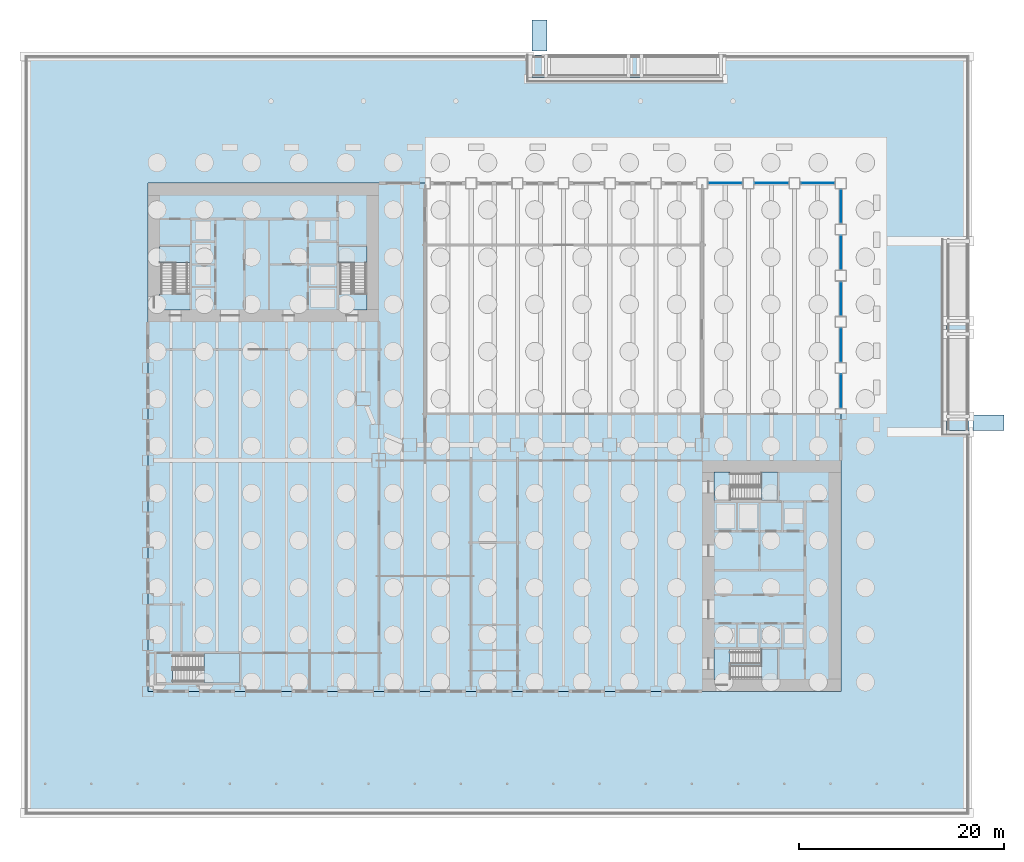
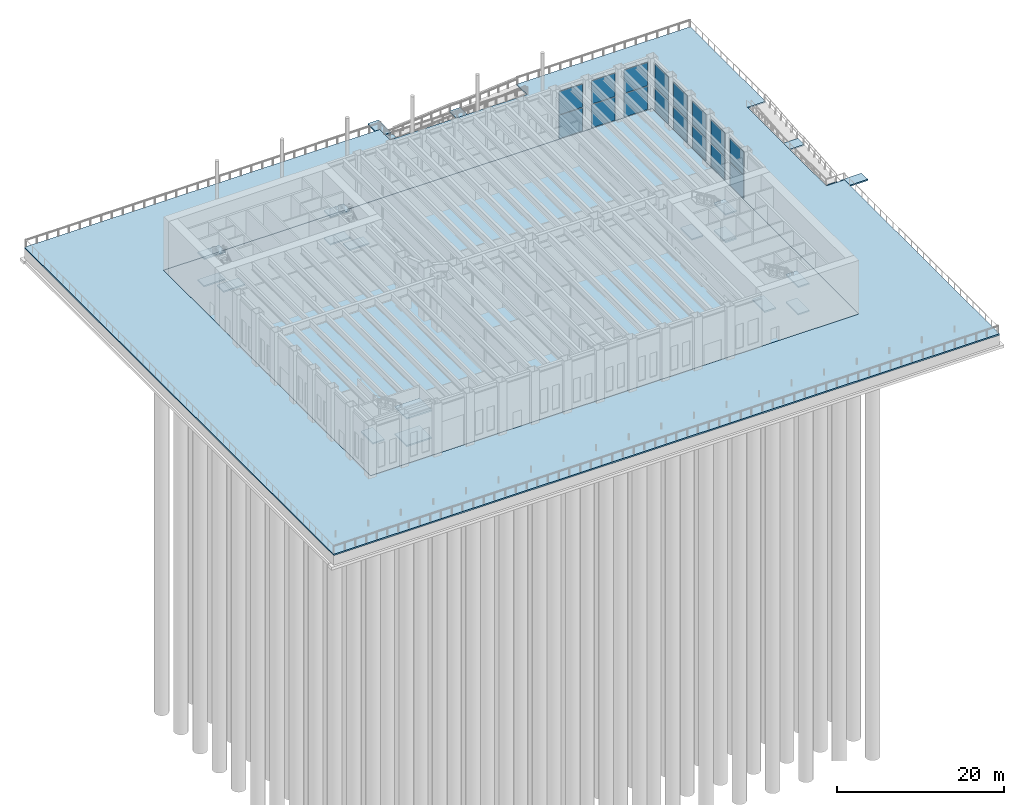
# One storey, part 5 of 26: 23 slabs, 16 plates, 15 elements without a shape of their own.
"""IFC4 building model written with IfcOpenShell, lengths in metres."""

from ifc_helpers import new_model, si_unit, direction, frame, origin, origin_2d, place, context, subcontext, project, spatial, polyline, rectangle, outline, extrude, material, layer, layer_set, type_object, element, aggregate, save


model = new_model("IFC4")

# Units and contexts
model_context = context("Model", 3, precision=1e-05, world=origin(), true_north=direction((0.0, 1.0)))
body_context = subcontext(model_context, "Body", "Model", "MODEL_VIEW")
ifc_project = project(units=[si_unit("LENGTHUNIT", "METRE"), si_unit("AREAUNIT", "SQUARE_METRE"), si_unit("VOLUMEUNIT", "CUBIC_METRE"), si_unit("PLANEANGLEUNIT", "RADIAN"), si_unit("MASSUNIT", "GRAM", prefix="KILO")], contexts=[model_context])

# Site, building, storey
site_placement = place(None, origin())
site = spatial("IfcSite", under=ifc_project, at=site_placement, CompositionType="ELEMENT")
building_placement = place(site_placement, origin())
building = spatial("IfcBuilding", under=site, at=building_placement, Name="Sennacour Bend Tower", CompositionType="ELEMENT")
storey_placement = place(building_placement, origin())
storey = spatial("IfcBuildingStorey", under=building, at=storey_placement, Name="L00", CompositionType="ELEMENT", Elevation=0.0)

# Slab
ifc_material_1 = material(Name="Concrete C40/50", Category="concrete")
ifc_layer_1 = layer(ifc_material_1, 0.300048828125, Name="Concrete C40/50", Category="concrete")
ifc_layer_set_1 = layer_set([ifc_layer_1], Name="Concrete C40/50")
slab_type_1 = type_object("IfcSlabType", Name="Ground slab 300", PredefinedType="BASESLAB", material=ifc_layer_set_1)
slab_1_placement = place(storey_placement, frame((0.0, 0.0, -0.300048828125)))
element("IfcSlab", 1, at=slab_1_placement, inside=storey, type_object=slab_type_1, Name="Ground slab L00-01", PredefinedType="BASESLAB", context=body_context, shape_type="SweptSolid", body=[
    extrude(outline(polyline([(67.5, 0.0), (67.5, 49.5), (0.0, 49.5), (0.0, 0.0), (67.5, 0.0)])), origin(), (0.0, 0.0, 1.0), 0.300048828125),
])

# Curtain wall, plates
ifc_material_2 = material(Name="Bronze anodised aluminium curtain wall with clear glass", Category="aluminium")
curtain_wall_type = type_object("IfcCurtainWallType", Name="CURTAIN WALL LOBBY", PredefinedType="NOTDEFINED", material=ifc_material_2)
curtain_wall_1_placement = place(storey_placement, origin())
curtain_wall_1 = element("IfcCurtainWall", 2, at=curtain_wall_1_placement, inside=storey, type_object=curtain_wall_type, Name="Lobby glass wall L00", PredefinedType="NOTDEFINED")
ifc_material_3 = material(Name="Laminated clear low-emissivity glass", Category="glass")
ifc_layer_2 = layer(ifc_material_3, 0.035888671875, Name="Laminated clear low-emissivity glass", Category="glass")
ifc_layer_set_2 = layer_set([ifc_layer_2], Name="Laminated clear low-emissivity glass")
plate_type = type_object("IfcPlateType", Name="PNL-GLASS-LAM36", PredefinedType="CURTAIN_PANEL", material=ifc_layer_set_2)
plate_1_placement = place(storey_placement, frame((67.52490234375, 29.25, 0.080078125), z_axis=(0.0, 0.0, 1.0), x_axis=(0.0, 1.0, 0.0)))
plate_1 = element("IfcPlate", 3, at=plate_1_placement, type_object=plate_type, Name="GW1 curtain wall panel 1.1", PredefinedType="CURTAIN_PANEL", context=body_context, shape_type="SweptSolid", body=[
    extrude(rectangle(XDim=3.239990234375, YDim=0.035888671875, at=origin_2d()), origin(), (0.0, 0.0, 1.0), 3.39794921875),
])
plate_2_placement = place(storey_placement, frame((67.52490234375, 29.25, 3.55810546875), z_axis=(0.0, 0.0, 1.0), x_axis=(0.0, 1.0, 0.0)))
plate_2 = element("IfcPlate", 4, at=plate_2_placement, type_object=plate_type, Name="GW1 curtain wall panel 1.2", PredefinedType="CURTAIN_PANEL", context=body_context, shape_type="SweptSolid", body=[
    extrude(rectangle(XDim=3.239990234375, YDim=0.035888671875, at=origin_2d()), origin(), (0.0, 0.0, 1.0), 3.39794921875),
])
aggregate(curtain_wall_1, [plate_1, plate_2])

curtain_wall_2_placement = place(storey_placement, origin())
curtain_wall_2 = element("IfcCurtainWall", 5, at=curtain_wall_2_placement, inside=storey, type_object=curtain_wall_type, Name="Lobby glass wall L00", PredefinedType="NOTDEFINED")
plate_3_placement = place(storey_placement, frame((67.52490234375, 33.75, 0.080078125), z_axis=(0.0, 0.0, 1.0), x_axis=(0.0, 1.0, 0.0)))
plate_3 = element("IfcPlate", 6, at=plate_3_placement, type_object=plate_type, Name="GW1 curtain wall panel 1.1", PredefinedType="CURTAIN_PANEL", context=body_context, shape_type="SweptSolid", body=[
    extrude(rectangle(XDim=3.239990234375, YDim=0.035888671875, at=origin_2d()), origin(), (0.0, 0.0, 1.0), 3.39794921875),
])
plate_4_placement = place(storey_placement, frame((67.52490234375, 33.75, 3.55810546875), z_axis=(0.0, 0.0, 1.0), x_axis=(0.0, 1.0, 0.0)))
plate_4 = element("IfcPlate", 7, at=plate_4_placement, type_object=plate_type, Name="GW1 curtain wall panel 1.2", PredefinedType="CURTAIN_PANEL", context=body_context, shape_type="SweptSolid", body=[
    extrude(rectangle(XDim=3.239990234375, YDim=0.035888671875, at=origin_2d()), origin(), (0.0, 0.0, 1.0), 3.39794921875),
])
aggregate(curtain_wall_2, [plate_3, plate_4])

curtain_wall_3_placement = place(storey_placement, origin())
curtain_wall_3 = element("IfcCurtainWall", 8, at=curtain_wall_3_placement, inside=storey, type_object=curtain_wall_type, Name="Lobby glass wall L00", PredefinedType="NOTDEFINED")
plate_5_placement = place(storey_placement, frame((67.52490234375, 38.25, 0.080078125), z_axis=(0.0, 0.0, 1.0), x_axis=(0.0, 1.0, 0.0)))
plate_5 = element("IfcPlate", 9, at=plate_5_placement, type_object=plate_type, Name="GW1 curtain wall panel 1.1", PredefinedType="CURTAIN_PANEL", context=body_context, shape_type="SweptSolid", body=[
    extrude(rectangle(XDim=3.239990234375, YDim=0.035888671875, at=origin_2d()), origin(), (0.0, 0.0, 1.0), 3.39794921875),
])
plate_6_placement = place(storey_placement, frame((67.52490234375, 38.25, 3.55810546875), z_axis=(0.0, 0.0, 1.0), x_axis=(0.0, 1.0, 0.0)))
plate_6 = element("IfcPlate", 10, at=plate_6_placement, type_object=plate_type, Name="GW1 curtain wall panel 1.2", PredefinedType="CURTAIN_PANEL", context=body_context, shape_type="SweptSolid", body=[
    extrude(rectangle(XDim=3.239990234375, YDim=0.035888671875, at=origin_2d()), origin(), (0.0, 0.0, 1.0), 3.39794921875),
])
aggregate(curtain_wall_3, [plate_5, plate_6])

curtain_wall_4_placement = place(storey_placement, origin())
curtain_wall_4 = element("IfcCurtainWall", 11, at=curtain_wall_4_placement, inside=storey, type_object=curtain_wall_type, Name="Lobby glass wall L00", PredefinedType="NOTDEFINED")
plate_7_placement = place(storey_placement, frame((67.52490234375, 42.75, 0.080078125), z_axis=(0.0, 0.0, 1.0), x_axis=(0.0, 1.0, 0.0)))
plate_7 = element("IfcPlate", 12, at=plate_7_placement, type_object=plate_type, Name="GW1 curtain wall panel 1.1", PredefinedType="CURTAIN_PANEL", context=body_context, shape_type="SweptSolid", body=[
    extrude(rectangle(XDim=3.239990234375, YDim=0.035888671875, at=origin_2d()), origin(), (0.0, 0.0, 1.0), 3.39794921875),
])
plate_8_placement = place(storey_placement, frame((67.52490234375, 42.75, 3.55810546875), z_axis=(0.0, 0.0, 1.0), x_axis=(0.0, 1.0, 0.0)))
plate_8 = element("IfcPlate", 13, at=plate_8_placement, type_object=plate_type, Name="GW1 curtain wall panel 1.2", PredefinedType="CURTAIN_PANEL", context=body_context, shape_type="SweptSolid", body=[
    extrude(rectangle(XDim=3.239990234375, YDim=0.035888671875, at=origin_2d()), origin(), (0.0, 0.0, 1.0), 3.39794921875),
])
aggregate(curtain_wall_4, [plate_7, plate_8])

curtain_wall_5_placement = place(storey_placement, origin())
curtain_wall_5 = element("IfcCurtainWall", 14, at=curtain_wall_5_placement, inside=storey, type_object=curtain_wall_type, Name="Lobby glass wall L00", PredefinedType="NOTDEFINED")
plate_9_placement = place(storey_placement, frame((67.52490234375, 47.25, 0.080078125), z_axis=(0.0, 0.0, 1.0), x_axis=(0.0, 1.0, 0.0)))
plate_9 = element("IfcPlate", 15, at=plate_9_placement, type_object=plate_type, Name="GW1 curtain wall panel 1.1", PredefinedType="CURTAIN_PANEL", context=body_context, shape_type="SweptSolid", body=[
    extrude(rectangle(XDim=3.239990234375, YDim=0.035888671875, at=origin_2d()), origin(), (0.0, 0.0, 1.0), 3.39794921875),
])
plate_10_placement = place(storey_placement, frame((67.52490234375, 47.25, 3.55810546875), z_axis=(0.0, 0.0, 1.0), x_axis=(0.0, 1.0, 0.0)))
plate_10 = element("IfcPlate", 16, at=plate_10_placement, type_object=plate_type, Name="GW1 curtain wall panel 1.2", PredefinedType="CURTAIN_PANEL", context=body_context, shape_type="SweptSolid", body=[
    extrude(rectangle(XDim=3.239990234375, YDim=0.035888671875, at=origin_2d()), origin(), (0.0, 0.0, 1.0), 3.39794921875),
])
aggregate(curtain_wall_5, [plate_9, plate_10])

curtain_wall_6_placement = place(storey_placement, origin())
curtain_wall_6 = element("IfcCurtainWall", 17, at=curtain_wall_6_placement, inside=storey, type_object=curtain_wall_type, Name="Lobby glass wall L00", PredefinedType="NOTDEFINED")
plate_11_placement = place(storey_placement, frame((65.25, 49.52490234375, 0.080078125), z_axis=(0.0, 0.0, 1.0), x_axis=(-1.0, 0.0, 0.0)))
plate_11 = element("IfcPlate", 18, at=plate_11_placement, type_object=plate_type, Name="GW1 curtain wall panel 1.1", PredefinedType="CURTAIN_PANEL", context=body_context, shape_type="SweptSolid", body=[
    extrude(rectangle(XDim=3.239990234375, YDim=0.035888671875, at=origin_2d()), origin(), (0.0, 0.0, 1.0), 3.39794921875),
])
plate_12_placement = place(storey_placement, frame((65.25, 49.52490234375, 3.55810546875), z_axis=(0.0, 0.0, 1.0), x_axis=(-1.0, 0.0, 0.0)))
plate_12 = element("IfcPlate", 19, at=plate_12_placement, type_object=plate_type, Name="GW1 curtain wall panel 1.2", PredefinedType="CURTAIN_PANEL", context=body_context, shape_type="SweptSolid", body=[
    extrude(rectangle(XDim=3.239990234375, YDim=0.035888671875, at=origin_2d()), origin(), (0.0, 0.0, 1.0), 3.39794921875),
])
aggregate(curtain_wall_6, [plate_11, plate_12])

curtain_wall_7_placement = place(storey_placement, origin())
curtain_wall_7 = element("IfcCurtainWall", 20, at=curtain_wall_7_placement, inside=storey, type_object=curtain_wall_type, Name="Lobby glass wall L00", PredefinedType="NOTDEFINED")
plate_13_placement = place(storey_placement, frame((60.75, 49.52490234375, 0.080078125), z_axis=(0.0, 0.0, 1.0), x_axis=(-1.0, 0.0, 0.0)))
plate_13 = element("IfcPlate", 21, at=plate_13_placement, type_object=plate_type, Name="GW1 curtain wall panel 1.1", PredefinedType="CURTAIN_PANEL", context=body_context, shape_type="SweptSolid", body=[
    extrude(rectangle(XDim=3.239990234375, YDim=0.035888671875, at=origin_2d()), origin(), (0.0, 0.0, 1.0), 3.39794921875),
])
plate_14_placement = place(storey_placement, frame((60.75, 49.52490234375, 3.55810546875), z_axis=(0.0, 0.0, 1.0), x_axis=(-1.0, 0.0, 0.0)))
plate_14 = element("IfcPlate", 22, at=plate_14_placement, type_object=plate_type, Name="GW1 curtain wall panel 1.2", PredefinedType="CURTAIN_PANEL", context=body_context, shape_type="SweptSolid", body=[
    extrude(rectangle(XDim=3.239990234375, YDim=0.035888671875, at=origin_2d()), origin(), (0.0, 0.0, 1.0), 3.39794921875),
])
aggregate(curtain_wall_7, [plate_13, plate_14])

curtain_wall_8_placement = place(storey_placement, origin())
curtain_wall_8 = element("IfcCurtainWall", 23, at=curtain_wall_8_placement, inside=storey, type_object=curtain_wall_type, Name="Lobby glass wall L00", PredefinedType="NOTDEFINED")
plate_15_placement = place(storey_placement, frame((56.25, 49.52490234375, 0.080078125), z_axis=(0.0, 0.0, 1.0), x_axis=(-1.0, 0.0, 0.0)))
plate_15 = element("IfcPlate", 24, at=plate_15_placement, type_object=plate_type, Name="GW1 curtain wall panel 1.1", PredefinedType="CURTAIN_PANEL", context=body_context, shape_type="SweptSolid", body=[
    extrude(rectangle(XDim=3.239990234375, YDim=0.035888671875, at=origin_2d()), origin(), (0.0, 0.0, 1.0), 3.39794921875),
])
plate_16_placement = place(storey_placement, frame((56.25, 49.52490234375, 3.55810546875), z_axis=(0.0, 0.0, 1.0), x_axis=(-1.0, 0.0, 0.0)))
plate_16 = element("IfcPlate", 25, at=plate_16_placement, type_object=plate_type, Name="GW1 curtain wall panel 1.2", PredefinedType="CURTAIN_PANEL", context=body_context, shape_type="SweptSolid", body=[
    extrude(rectangle(XDim=3.239990234375, YDim=0.035888671875, at=origin_2d()), origin(), (0.0, 0.0, 1.0), 3.39794921875),
])
aggregate(curtain_wall_8, [plate_15, plate_16])

# Slabs
ifc_material_4 = material(Name="Limestone paving", Category="masonry")
ifc_layer_3 = layer(ifc_material_4, 0.0400390625, Name="Limestone paving", Category="masonry")
ifc_material_5 = material(Name="Concrete C30/37", Category="concrete")
ifc_layer_4 = layer(ifc_material_5, 0.159912109375, Name="Concrete C30/37", Category="concrete")
ifc_layer_set_3 = layer_set([ifc_layer_3, ifc_layer_4], Name="Concrete C30/37 with limestone paving")
slab_type_2 = type_object("IfcSlabType", Name="Plaza slab 200", PredefinedType="USERDEFINED", material=ifc_layer_set_3)
slab_2_placement = place(storey_placement, frame((0.0, 0.0, -0.199951171875)))
element("IfcSlab", 26, at=slab_2_placement, inside=storey, type_object=slab_type_2, Name="Plaza paving", ObjectType="PAVING", PredefinedType="USERDEFINED", context=body_context, shape_type="SweptSolid", body=[
    extrude(outline(polyline([(37.10009765625, 62.0), (37.10009765625, 59.5), (56.0, 59.5), (56.0, 62.0), (80.0, 62.0), (80.0, 44.0), (77.5, 44.0), (77.5, 25.10009765625), (80.0, 25.10009765625), (80.0, -12.0), (-12.0, -12.0), (-12.0, 62.0), (37.10009765625, 62.0)]), holes=[polyline([(0.0, 0.0), (67.5, 0.0), (67.5, 49.5), (0.0, 49.5), (0.0, 0.0)])]), origin(), (0.0, 0.0, 1.0), 0.199951171875),
])
slab_3_placement = place(storey_placement, frame((0.0, 0.0, -1.5)))
element("IfcSlab", 27, at=slab_3_placement, inside=storey, type_object=slab_type_2, Name="Sidewalk apron East", ObjectType="PAVING", PredefinedType="USERDEFINED", context=body_context, shape_type="SweptSolid", body=[
    extrude(outline(polyline([(80.39990234375, 26.89990234375), (80.39990234375, 25.39990234375), (83.39990234375, 25.39990234375), (83.39990234375, 26.89990234375), (80.39990234375, 26.89990234375)])), origin(), (0.0, 0.0, 1.0), 0.199951171875),
])
slab_4_placement = place(storey_placement, frame((0.0, 0.0, -1.5)))
element("IfcSlab", 28, at=slab_4_placement, inside=storey, type_object=slab_type_2, Name="Sidewalk apron North", ObjectType="PAVING", PredefinedType="USERDEFINED", context=body_context, shape_type="SweptSolid", body=[
    extrude(outline(polyline([(38.89990234375, 62.39990234375), (37.39990234375, 62.39990234375), (37.39990234375, 65.39990234375), (38.89990234375, 65.39990234375), (38.89990234375, 62.39990234375)])), origin(), (0.0, 0.0, 1.0), 0.199951171875),
])

# Ramp, slabs
ramp_type = type_object("IfcRampType", Name="PLAZA RAMP", PredefinedType="TWO_STRAIGHT_RUN_RAMP", material=ifc_material_1)
ramp_1_placement = place(storey_placement, origin())
ramp_1 = element("IfcRamp", 29, at=ramp_1_placement, inside=storey, type_object=ramp_type, Name="Plaza ramp East", PredefinedType="TWO_STRAIGHT_RUN_RAMP")
ifc_layer_5 = layer(ifc_material_1, 0.199951171875, Name="Concrete C40/50", Category="concrete")
ifc_layer_set_4 = layer_set([ifc_layer_5], Name="Concrete C40/50")
slab_type_3 = type_object("IfcSlabType", Name="RAMP LANDING 200", PredefinedType="LANDING", material=ifc_layer_set_4)
slab_5_placement = place(storey_placement, frame((0.0, 0.0, -0.85009765625)))
slab_5 = element("IfcSlab", 30, at=slab_5_placement, type_object=slab_type_3, Name="Ramp landing 1 East", PredefinedType="LANDING", context=body_context, shape_type="SweptSolid", body=[
    extrude(outline(polyline([(77.800048828125, 36.199951171875), (80.0, 36.199951171875), (80.0, 34.699951171875), (77.800048828125, 34.699951171875), (77.800048828125, 36.199951171875)])), origin(), (0.0, 0.0, 1.0), 0.2001953125),
])
slab_6_placement = place(storey_placement, frame((0.0, 0.0, -1.5)))
slab_6 = element("IfcSlab", 31, at=slab_6_placement, type_object=slab_type_3, Name="Ramp landing 2 East", PredefinedType="LANDING", context=body_context, shape_type="SweptSolid", body=[
    extrude(outline(polyline([(77.800048828125, 26.89990234375), (80.0, 26.89990234375), (80.0, 25.39990234375), (77.800048828125, 25.39990234375), (77.800048828125, 26.89990234375)])), origin(), (0.0, 0.0, 1.0), 0.199951171875),
])
aggregate(ramp_1, [slab_5, slab_6])

ramp_2_placement = place(storey_placement, origin())
ramp_2 = element("IfcRamp", 32, at=ramp_2_placement, inside=storey, type_object=ramp_type, Name="Plaza ramp North", PredefinedType="TWO_STRAIGHT_RUN_RAMP")
slab_7_placement = place(storey_placement, frame((0.0, 0.0, -0.85009765625)))
slab_7 = element("IfcSlab", 33, at=slab_7_placement, type_object=slab_type_3, Name="Ramp landing 1 North", PredefinedType="LANDING", context=body_context, shape_type="SweptSolid", body=[
    extrude(outline(polyline([(48.199951171875, 62.0), (48.199951171875, 59.800048828125), (46.699951171875, 59.800048828125), (46.699951171875, 62.0), (48.199951171875, 62.0)])), origin(), (0.0, 0.0, 1.0), 0.2001953125),
])
slab_8_placement = place(storey_placement, frame((0.0, 0.0, -1.5)))
slab_8 = element("IfcSlab", 34, at=slab_8_placement, type_object=slab_type_3, Name="Ramp landing 2 North", PredefinedType="LANDING", context=body_context, shape_type="SweptSolid", body=[
    extrude(outline(polyline([(38.89990234375, 62.0), (38.89990234375, 59.800048828125), (37.39990234375, 59.800048828125), (37.39990234375, 62.0), (38.89990234375, 62.0)])), origin(), (0.0, 0.0, 1.0), 0.199951171875),
])
aggregate(ramp_2, [slab_7, slab_8])

# Stair, slabs
stair_type = type_object("IfcStairType", Name="ST-DOGLEG", PredefinedType="HALF_TURN_STAIR", material=ifc_material_1)
stair_1_placement = place(storey_placement, origin())
stair_1 = element("IfcStair", 35, at=stair_1_placement, inside=storey, type_object=stair_type, Name="L00 Exit stair A1", PredefinedType="HALF_TURN_STAIR")
ifc_layer_6 = layer(ifc_material_1, 0.199951171875, Name="Concrete C40/50", Category="concrete")
ifc_layer_set_5 = layer_set([ifc_layer_6], Name="Concrete C40/50")
slab_type_4 = type_object("IfcSlabType", Name="Stair landing 200", PredefinedType="LANDING", material=ifc_layer_set_5)
slab_9_placement = place(storey_placement, frame((0.0, 0.0, 1.800048828125)))
slab_9 = element("IfcSlab", 36, at=slab_9_placement, type_object=slab_type_4, Name="SA1 landing 1", PredefinedType="LANDING", context=body_context, shape_type="SweptSolid", body=[
    extrude(outline(polyline([(59.780029296875, 1.14990234375), (61.324951171875, 1.14990234375), (61.324951171875, 4.125), (59.780029296875, 4.125), (59.780029296875, 1.14990234375)])), origin(), (0.0, 0.0, 1.0), 0.199951171875),
])
slab_10_placement = place(storey_placement, frame((0.0, 0.0, 3.800048828125)))
slab_10 = element("IfcSlab", 37, at=slab_10_placement, type_object=slab_type_4, Name="SA1 landing 2", PredefinedType="LANDING", context=body_context, shape_type="SweptSolid", body=[
    extrude(outline(polyline([(55.14990234375, 1.14990234375), (56.699951171875, 1.14990234375), (56.699951171875, 4.125), (55.14990234375, 4.125), (55.14990234375, 1.14990234375)])), origin(), (0.0, 0.0, 1.0), 0.199951171875),
])
slab_11_placement = place(storey_placement, frame((0.0, 0.0, 5.800048828125)))
slab_11 = element("IfcSlab", 38, at=slab_11_placement, type_object=slab_type_4, Name="SA1 landing 3", PredefinedType="LANDING", context=body_context, shape_type="SweptSolid", body=[
    extrude(outline(polyline([(59.780029296875, 1.14990234375), (61.324951171875, 1.14990234375), (61.324951171875, 4.125), (59.780029296875, 4.125), (59.780029296875, 1.14990234375)])), origin(), (0.0, 0.0, 1.0), 0.199951171875),
])
aggregate(stair_1, [slab_9, slab_10, slab_11])

stair_2_placement = place(storey_placement, origin())
stair_2 = element("IfcStair", 39, at=stair_2_placement, inside=storey, type_object=stair_type, Name="L00 Exit stair A2", PredefinedType="HALF_TURN_STAIR")
slab_12_placement = place(storey_placement, frame((0.0, 0.0, 1.800048828125)))
slab_12 = element("IfcSlab", 40, at=slab_12_placement, type_object=slab_type_4, Name="SA2 landing 1", PredefinedType="LANDING", context=body_context, shape_type="SweptSolid", body=[
    extrude(outline(polyline([(59.780029296875, 18.574951171875), (61.324951171875, 18.574951171875), (61.324951171875, 21.35009765625), (59.780029296875, 21.35009765625), (59.780029296875, 18.574951171875)])), origin(), (0.0, 0.0, 1.0), 0.199951171875),
])
slab_13_placement = place(storey_placement, frame((0.0, 0.0, 3.800048828125)))
slab_13 = element("IfcSlab", 41, at=slab_13_placement, type_object=slab_type_4, Name="SA2 landing 2", PredefinedType="LANDING", context=body_context, shape_type="SweptSolid", body=[
    extrude(outline(polyline([(55.14990234375, 18.574951171875), (56.699951171875, 18.574951171875), (56.699951171875, 21.35009765625), (55.14990234375, 21.35009765625), (55.14990234375, 18.574951171875)])), origin(), (0.0, 0.0, 1.0), 0.199951171875),
])
slab_14_placement = place(storey_placement, frame((0.0, 0.0, 5.800048828125)))
slab_14 = element("IfcSlab", 42, at=slab_14_placement, type_object=slab_type_4, Name="SA2 landing 3", PredefinedType="LANDING", context=body_context, shape_type="SweptSolid", body=[
    extrude(outline(polyline([(59.780029296875, 18.574951171875), (61.324951171875, 18.574951171875), (61.324951171875, 21.35009765625), (59.780029296875, 21.35009765625), (59.780029296875, 18.574951171875)])), origin(), (0.0, 0.0, 1.0), 0.199951171875),
])
aggregate(stair_2, [slab_12, slab_13, slab_14])

stair_3_placement = place(storey_placement, origin())
stair_3 = element("IfcStair", 43, at=stair_3_placement, inside=storey, type_object=stair_type, Name="L00 Exit stair B1", PredefinedType="HALF_TURN_STAIR")
slab_15_placement = place(storey_placement, frame((0.0, 0.0, 1.800048828125)))
slab_15 = element("IfcSlab", 44, at=slab_15_placement, type_object=slab_type_4, Name="SB1 landing 1", PredefinedType="LANDING", context=body_context, shape_type="SweptSolid", body=[
    extrude(outline(polyline([(1.14990234375, 41.780029296875), (4.125, 41.780029296875), (4.125, 43.324951171875), (1.14990234375, 43.324951171875), (1.14990234375, 41.780029296875)])), origin(), (0.0, 0.0, 1.0), 0.199951171875),
])
slab_16_placement = place(storey_placement, frame((0.0, 0.0, 3.800048828125)))
slab_16 = element("IfcSlab", 45, at=slab_16_placement, type_object=slab_type_4, Name="SB1 landing 2", PredefinedType="LANDING", context=body_context, shape_type="SweptSolid", body=[
    extrude(outline(polyline([(1.14990234375, 37.14990234375), (4.125, 37.14990234375), (4.125, 38.699951171875), (1.14990234375, 38.699951171875), (1.14990234375, 37.14990234375)])), origin(), (0.0, 0.0, 1.0), 0.199951171875),
])
slab_17_placement = place(storey_placement, frame((0.0, 0.0, 5.800048828125)))
slab_17 = element("IfcSlab", 46, at=slab_17_placement, type_object=slab_type_4, Name="SB1 landing 3", PredefinedType="LANDING", context=body_context, shape_type="SweptSolid", body=[
    extrude(outline(polyline([(1.14990234375, 41.780029296875), (4.125, 41.780029296875), (4.125, 43.324951171875), (1.14990234375, 43.324951171875), (1.14990234375, 41.780029296875)])), origin(), (0.0, 0.0, 1.0), 0.199951171875),
])
aggregate(stair_3, [slab_15, slab_16, slab_17])

stair_4_placement = place(storey_placement, origin())
stair_4 = element("IfcStair", 47, at=stair_4_placement, inside=storey, type_object=stair_type, Name="L00 Exit stair B2", PredefinedType="HALF_TURN_STAIR")
slab_18_placement = place(storey_placement, frame((0.0, 0.0, 1.800048828125)))
slab_18 = element("IfcSlab", 48, at=slab_18_placement, type_object=slab_type_4, Name="SB2 landing 1", PredefinedType="LANDING", context=body_context, shape_type="SweptSolid", body=[
    extrude(outline(polyline([(18.574951171875, 41.780029296875), (21.35009765625, 41.780029296875), (21.35009765625, 43.324951171875), (18.574951171875, 43.324951171875), (18.574951171875, 41.780029296875)])), origin(), (0.0, 0.0, 1.0), 0.199951171875),
])
slab_19_placement = place(storey_placement, frame((0.0, 0.0, 3.800048828125)))
slab_19 = element("IfcSlab", 49, at=slab_19_placement, type_object=slab_type_4, Name="SB2 landing 2", PredefinedType="LANDING", context=body_context, shape_type="SweptSolid", body=[
    extrude(outline(polyline([(18.574951171875, 37.14990234375), (21.35009765625, 37.14990234375), (21.35009765625, 38.699951171875), (18.574951171875, 38.699951171875), (18.574951171875, 37.14990234375)])), origin(), (0.0, 0.0, 1.0), 0.199951171875),
])
slab_20_placement = place(storey_placement, frame((0.0, 0.0, 5.800048828125)))
slab_20 = element("IfcSlab", 50, at=slab_20_placement, type_object=slab_type_4, Name="SB2 landing 3", PredefinedType="LANDING", context=body_context, shape_type="SweptSolid", body=[
    extrude(outline(polyline([(18.574951171875, 41.780029296875), (21.35009765625, 41.780029296875), (21.35009765625, 43.324951171875), (18.574951171875, 43.324951171875), (18.574951171875, 41.780029296875)])), origin(), (0.0, 0.0, 1.0), 0.199951171875),
])
aggregate(stair_4, [slab_18, slab_19, slab_20])

stair_5_placement = place(storey_placement, origin())
stair_5 = element("IfcStair", 51, at=stair_5_placement, inside=storey, type_object=stair_type, Name="L00 Exit stair K1", PredefinedType="HALF_TURN_STAIR")
slab_21_placement = place(storey_placement, frame((0.0, 0.0, 1.800048828125)))
slab_21 = element("IfcSlab", 52, at=slab_21_placement, type_object=slab_type_4, Name="SK1 landing 1", PredefinedType="LANDING", context=body_context, shape_type="SweptSolid", body=[
    extrude(outline(polyline([(5.47998046875, 0.800048828125), (8.925048828125, 0.800048828125), (8.925048828125, 3.675048828125), (5.47998046875, 3.675048828125), (5.47998046875, 0.800048828125)])), origin(), (0.0, 0.0, 1.0), 0.199951171875),
])
slab_22_placement = place(storey_placement, frame((0.0, 0.0, 3.800048828125)))
slab_22 = element("IfcSlab", 53, at=slab_22_placement, type_object=slab_type_4, Name="SK1 landing 2", PredefinedType="LANDING", context=body_context, shape_type="SweptSolid", body=[
    extrude(outline(polyline([(0.800048828125, 0.800048828125), (2.39990234375, 0.800048828125), (2.39990234375, 3.675048828125), (0.800048828125, 3.675048828125), (0.800048828125, 0.800048828125)])), origin(), (0.0, 0.0, 1.0), 0.199951171875),
])
slab_23_placement = place(storey_placement, frame((0.0, 0.0, 5.800048828125)))
slab_23 = element("IfcSlab", 54, at=slab_23_placement, type_object=slab_type_4, Name="SK1 landing 3", PredefinedType="LANDING", context=body_context, shape_type="SweptSolid", body=[
    extrude(outline(polyline([(5.47998046875, 0.800048828125), (8.925048828125, 0.800048828125), (8.925048828125, 3.675048828125), (5.47998046875, 3.675048828125), (5.47998046875, 0.800048828125)])), origin(), (0.0, 0.0, 1.0), 0.199951171875),
])
aggregate(stair_5, [slab_21, slab_22, slab_23])

save(model, "model.ifc")
